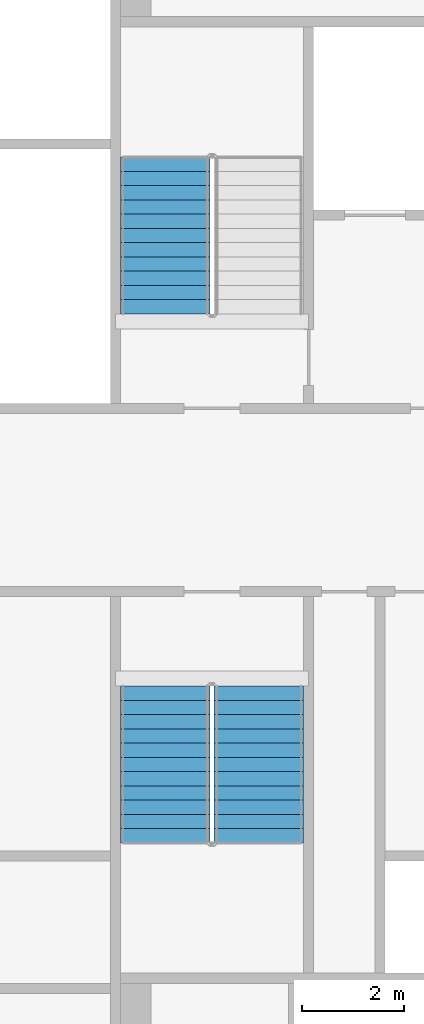
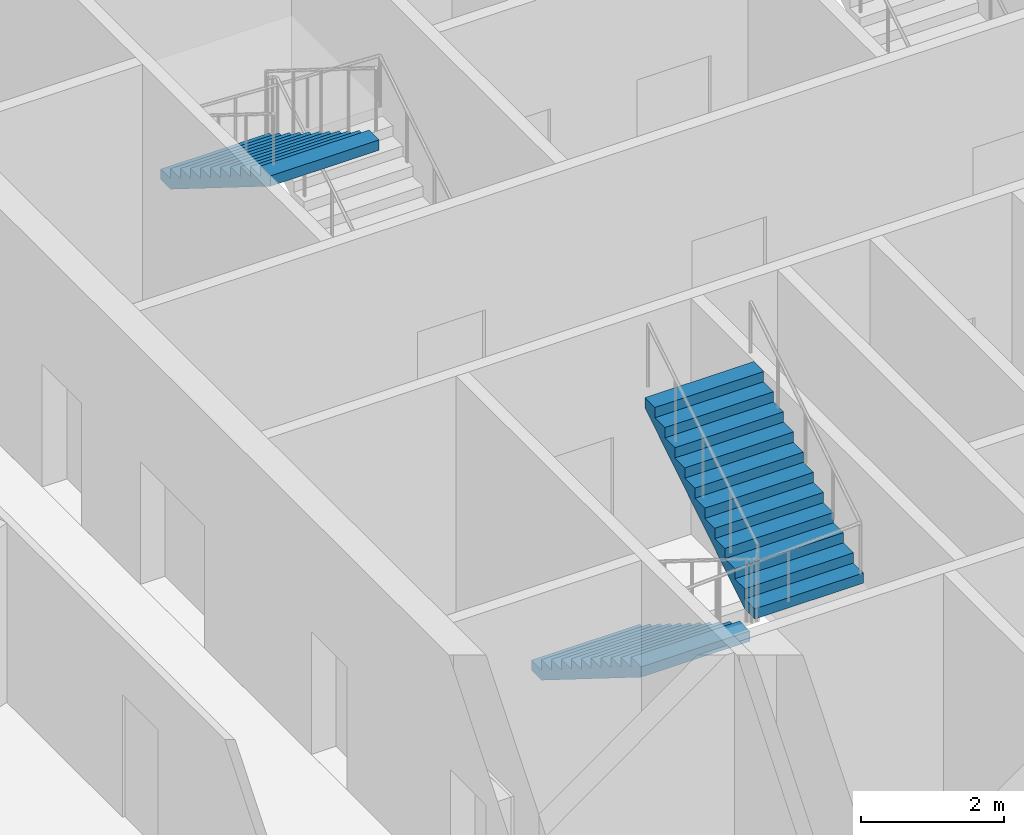
# One storey, part 28 of 35: 3 stair flights, 2 elements without a shape of their own.
"""IFC4 building model written with IfcOpenShell, lengths in metres."""

from ifc_helpers import new_model, si_unit, direction, frame, origin, place, context, subcontext, project, spatial, faceted_brep, material, type_object, element, aggregate, save


model = new_model("IFC4")

# Units and contexts
model_context = context("Model", 3, precision=1e-05, world=origin(), true_north=direction((0.0, 1.0)))
body_context = subcontext(model_context, "Body", "Model", "MODEL_VIEW")
ifc_project = project(units=[si_unit("LENGTHUNIT", "METRE"), si_unit("AREAUNIT", "SQUARE_METRE"), si_unit("VOLUMEUNIT", "CUBIC_METRE"), si_unit("PLANEANGLEUNIT", "RADIAN"), si_unit("MASSUNIT", "GRAM", prefix="KILO")], contexts=[model_context])

# Site, building, storey
site_placement = place(None, origin())
site = spatial("IfcSite", under=ifc_project, at=site_placement, CompositionType="ELEMENT")
building_placement = place(site_placement, origin())
building = spatial("IfcBuilding", under=site, at=building_placement, Name="Tarsis Ring Headquarters", CompositionType="ELEMENT")
storey_placement = place(building_placement, frame((0.0, 0.0, 360.800048828125)))
storey = spatial("IfcBuildingStorey", under=building, at=storey_placement, Name="L85", CompositionType="ELEMENT", Elevation=360.800048828125)

# Stair, stair flight
ifc_material_1 = material(Name="Core stair 1760")
stair_type = type_object("IfcStairType", Name="Core stair 1760", PredefinedType="HALF_TURN_STAIR", material=ifc_material_1)
stair_1_placement = place(storey_placement, origin())
stair_1 = element("IfcStair", 1, at=stair_1_placement, inside=storey, type_object=stair_type, Name="L85 Firefighting stair", PredefinedType="HALF_TURN_STAIR")
ifc_material_2 = material(Name="Concrete C40/50", Category="concrete")
stair_flight_type = type_object("IfcStairFlightType", Name="Core stair flight 1760", PredefinedType="STRAIGHT", material=ifc_material_2)
stair_flight_1_placement = place(storey_placement, frame((-5.419921875, 6.739990234375, 2.099853515625), z_axis=(0.0, 0.0, 1.0), x_axis=(0.0, -1.0, 0.0)))
stair_flight_1 = element("IfcStairFlight", 2, at=stair_flight_1_placement, type_object=stair_flight_type, Name="Stair ST1 flight 2", NumberOfRisers=12, NumberOfTreads=11, PredefinedType="STRAIGHT", RiserHeight=0.175, TreadLength=0.28, context=body_context, shape_type="Brep", body=[
    faceted_brep([(0.0, 0.8798828125, 0.0), (0.0, 0.8798828125, 0.175048828125), (0.280029296875, 0.8798828125, 0.175048828125), (0.280029296875, 0.8798828125, 0.35009765625), (0.56005859375, 0.8798828125, 0.35009765625), (0.56005859375, 0.8798828125, 0.52490234375), (0.840087890625, 0.8798828125, 0.52490234375), (0.840087890625, 0.8798828125, 0.699951171875), (1.1201171875, 0.8798828125, 0.699951171875), (1.1201171875, 0.8798828125, 0.875), (1.39990234375, 0.8798828125, 0.875), (1.39990234375, 0.8798828125, 1.050048828125), (1.679931640625, 0.8798828125, 1.050048828125), (1.679931640625, 0.8798828125, 1.22509765625), (1.9599609375, 0.8798828125, 1.22509765625), (1.9599609375, 0.8798828125, 1.39990234375), (2.239990234375, 0.8798828125, 1.39990234375), (2.239990234375, 0.8798828125, 1.574951171875), (2.52001953125, 0.8798828125, 1.574951171875), (2.52001953125, 0.8798828125, 1.75), (2.800048828125, 0.8798828125, 1.75), (2.800048828125, 0.8798828125, 1.925048828125), (3.080078125, 0.8798828125, 1.925048828125), (3.080078125, 0.8798828125, 1.748291015625), (0.28271484375, 0.8798828125, 0.0), (0.28271484375, -0.8798828125, 0.0), (3.080078125, -0.8798828125, 1.748291015625), (3.080078125, -0.8798828125, 1.925048828125), (2.800048828125, -0.8798828125, 1.925048828125), (2.800048828125, -0.8798828125, 1.75), (2.52001953125, -0.8798828125, 1.75), (2.52001953125, -0.8798828125, 1.574951171875), (2.239990234375, -0.8798828125, 1.574951171875), (2.239990234375, -0.8798828125, 1.39990234375), (1.9599609375, -0.8798828125, 1.39990234375), (1.9599609375, -0.8798828125, 1.22509765625), (1.679931640625, -0.8798828125, 1.22509765625), (1.679931640625, -0.8798828125, 1.050048828125), (1.39990234375, -0.8798828125, 1.050048828125), (1.39990234375, -0.8798828125, 0.875), (1.1201171875, -0.8798828125, 0.875), (1.1201171875, -0.8798828125, 0.699951171875), (0.840087890625, -0.8798828125, 0.699951171875), (0.840087890625, -0.8798828125, 0.52490234375), (0.56005859375, -0.8798828125, 0.52490234375), (0.56005859375, -0.8798828125, 0.35009765625), (0.280029296875, -0.8798828125, 0.35009765625), (0.280029296875, -0.8798828125, 0.175048828125), (0.0, -0.8798828125, 0.175048828125), (0.0, -0.8798828125, 0.0), (0.0, -0.43994140625, 0.175048828125), (0.0, -0.43994140625, 0.0), (0.0, 0.0, 0.175048828125), (0.0, 0.0, 0.0), (0.0, 0.43994140625, 0.175048828125), (0.0, 0.43994140625, 0.0), (0.280029296875, -0.43994140625, 0.175048828125), (0.280029296875, 0.0, 0.175048828125), (0.280029296875, 0.43994140625, 0.175048828125), (0.280029296875, -0.43994140625, 0.35009765625), (0.280029296875, 0.0, 0.35009765625), (0.280029296875, 0.43994140625, 0.35009765625), (0.56005859375, -0.43994140625, 0.35009765625), (0.56005859375, 0.0, 0.35009765625), (0.56005859375, 0.43994140625, 0.35009765625), (0.56005859375, -0.43994140625, 0.52490234375), (0.56005859375, 0.0, 0.52490234375), (0.56005859375, 0.43994140625, 0.52490234375), (0.840087890625, -0.43994140625, 0.52490234375), (0.840087890625, 0.0, 0.52490234375), (0.840087890625, 0.43994140625, 0.52490234375), (0.840087890625, -0.43994140625, 0.699951171875), (0.840087890625, 0.0, 0.699951171875), (0.840087890625, 0.43994140625, 0.699951171875), (1.1201171875, -0.43994140625, 0.699951171875), (1.1201171875, 0.0, 0.699951171875), (1.1201171875, 0.43994140625, 0.699951171875), (1.1201171875, -0.43994140625, 0.875), (1.1201171875, 0.0, 0.875), (1.1201171875, 0.43994140625, 0.875), (1.39990234375, -0.43994140625, 0.875), (1.39990234375, 0.0, 0.875), (1.39990234375, 0.43994140625, 0.875), (1.39990234375, -0.43994140625, 1.050048828125), (1.39990234375, 0.0, 1.050048828125), (1.39990234375, 0.43994140625, 1.050048828125), (1.679931640625, -0.43994140625, 1.050048828125), (1.679931640625, 0.0, 1.050048828125), (1.679931640625, 0.43994140625, 1.050048828125), (1.679931640625, -0.43994140625, 1.22509765625), (1.679931640625, 0.0, 1.22509765625), (1.679931640625, 0.43994140625, 1.22509765625), (1.9599609375, -0.43994140625, 1.22509765625), (1.9599609375, 0.0, 1.22509765625), (1.9599609375, 0.43994140625, 1.22509765625), (1.9599609375, -0.43994140625, 1.39990234375), (1.9599609375, 0.0, 1.39990234375), (1.9599609375, 0.43994140625, 1.39990234375), (2.239990234375, -0.43994140625, 1.39990234375), (2.239990234375, 0.0, 1.39990234375), (2.239990234375, 0.43994140625, 1.39990234375), (2.239990234375, -0.43994140625, 1.574951171875), (2.239990234375, 0.0, 1.574951171875), (2.239990234375, 0.43994140625, 1.574951171875), (2.52001953125, -0.43994140625, 1.574951171875), (2.52001953125, 0.0, 1.574951171875), (2.52001953125, 0.43994140625, 1.574951171875), (2.52001953125, -0.43994140625, 1.75), (2.52001953125, 0.0, 1.75), (2.52001953125, 0.43994140625, 1.75), (2.800048828125, -0.43994140625, 1.75), (2.800048828125, 0.0, 1.75), (2.800048828125, 0.43994140625, 1.75), (2.800048828125, -0.43994140625, 1.925048828125), (2.800048828125, 0.0, 1.925048828125), (2.800048828125, 0.43994140625, 1.925048828125), (3.080078125, -0.43994140625, 1.925048828125), (3.080078125, 0.0, 1.925048828125), (3.080078125, 0.43994140625, 1.925048828125), (3.080078125, -0.43994140625, 1.748291015625), (3.080078125, 0.0, 1.748291015625), (3.080078125, 0.43994140625, 1.748291015625), (0.28271484375, -0.43994140625, 0.0), (0.28271484375, 0.0, 0.0), (0.28271484375, 0.43994140625, 0.0)], [[[0, 1, 2, 3, 4, 5, 6, 7, 8, 9, 10, 11, 12, 13, 14, 15, 16, 17, 18, 19, 20, 21, 22, 23, 24]], [[25, 26, 27, 28, 29, 30, 31, 32, 33, 34, 35, 36, 37, 38, 39, 40, 41, 42, 43, 44, 45, 46, 47, 48, 49]], [[49, 48, 50, 51]], [[51, 50, 52, 53]], [[53, 52, 54, 55]], [[55, 54, 1, 0]], [[48, 47, 56, 50]], [[50, 56, 57, 52]], [[52, 57, 58, 54]], [[54, 58, 2, 1]], [[47, 46, 59, 56]], [[56, 59, 60, 57]], [[57, 60, 61, 58]], [[58, 61, 3, 2]], [[46, 45, 62, 59]], [[59, 62, 63, 60]], [[60, 63, 64, 61]], [[61, 64, 4, 3]], [[45, 44, 65, 62]], [[62, 65, 66, 63]], [[63, 66, 67, 64]], [[64, 67, 5, 4]], [[44, 43, 68, 65]], [[65, 68, 69, 66]], [[66, 69, 70, 67]], [[67, 70, 6, 5]], [[43, 42, 71, 68]], [[68, 71, 72, 69]], [[69, 72, 73, 70]], [[70, 73, 7, 6]], [[42, 41, 74, 71]], [[71, 74, 75, 72]], [[72, 75, 76, 73]], [[73, 76, 8, 7]], [[41, 40, 77, 74]], [[74, 77, 78, 75]], [[75, 78, 79, 76]], [[76, 79, 9, 8]], [[40, 39, 80, 77]], [[77, 80, 81, 78]], [[78, 81, 82, 79]], [[79, 82, 10, 9]], [[39, 38, 83, 80]], [[80, 83, 84, 81]], [[81, 84, 85, 82]], [[82, 85, 11, 10]], [[38, 37, 86, 83]], [[83, 86, 87, 84]], [[84, 87, 88, 85]], [[85, 88, 12, 11]], [[37, 36, 89, 86]], [[86, 89, 90, 87]], [[87, 90, 91, 88]], [[88, 91, 13, 12]], [[36, 35, 92, 89]], [[89, 92, 93, 90]], [[90, 93, 94, 91]], [[91, 94, 14, 13]], [[35, 34, 95, 92]], [[92, 95, 96, 93]], [[93, 96, 97, 94]], [[94, 97, 15, 14]], [[34, 33, 98, 95]], [[95, 98, 99, 96]], [[96, 99, 100, 97]], [[97, 100, 16, 15]], [[33, 32, 101, 98]], [[98, 101, 102, 99]], [[99, 102, 103, 100]], [[100, 103, 17, 16]], [[32, 31, 104, 101]], [[101, 104, 105, 102]], [[102, 105, 106, 103]], [[103, 106, 18, 17]], [[31, 30, 107, 104]], [[104, 107, 108, 105]], [[105, 108, 109, 106]], [[106, 109, 19, 18]], [[30, 29, 110, 107]], [[107, 110, 111, 108]], [[108, 111, 112, 109]], [[109, 112, 20, 19]], [[29, 28, 113, 110]], [[110, 113, 114, 111]], [[111, 114, 115, 112]], [[112, 115, 21, 20]], [[28, 27, 116, 113]], [[113, 116, 117, 114]], [[114, 117, 118, 115]], [[115, 118, 22, 21]], [[27, 26, 119, 116]], [[116, 119, 120, 117]], [[117, 120, 121, 118]], [[118, 121, 23, 22]], [[26, 25, 122, 119]], [[119, 122, 123, 120]], [[120, 123, 124, 121]], [[121, 124, 24, 23]], [[25, 49, 51, 122]], [[122, 51, 53, 123]], [[123, 53, 55, 124]], [[124, 55, 0, 24]]]),
])
aggregate(stair_1, [stair_flight_1])

# Stair, stair flights
stair_2_placement = place(storey_placement, origin())
stair_2 = element("IfcStair", 3, at=stair_2_placement, inside=storey, type_object=stair_type, Name="L85 Exit stair C", PredefinedType="HALF_TURN_STAIR")
stair_flight_2_placement = place(storey_placement, frame((-5.419921875, -3.659912109375, 0.0), z_axis=(0.0, 0.0, 1.0), x_axis=(0.0, -1.0, 0.0)))
stair_flight_2 = element("IfcStairFlight", 4, at=stair_flight_2_placement, type_object=stair_flight_type, Name="Stair ST3 flight 1", NumberOfRisers=12, NumberOfTreads=11, PredefinedType="STRAIGHT", RiserHeight=0.175, TreadLength=0.28, context=body_context, shape_type="Brep", body=[
    faceted_brep([(0.0, 0.8798828125, 0.0), (0.0, 0.8798828125, 0.175048828125), (0.280029296875, 0.8798828125, 0.175048828125), (0.280029296875, 0.8798828125, 0.35009765625), (0.56005859375, 0.8798828125, 0.35009765625), (0.56005859375, 0.8798828125, 0.52490234375), (0.840087890625, 0.8798828125, 0.52490234375), (0.840087890625, 0.8798828125, 0.699951171875), (1.1201171875, 0.8798828125, 0.699951171875), (1.1201171875, 0.8798828125, 0.875), (1.39990234375, 0.8798828125, 0.875), (1.39990234375, 0.8798828125, 1.050048828125), (1.679931640625, 0.8798828125, 1.050048828125), (1.679931640625, 0.8798828125, 1.22509765625), (1.9599609375, 0.8798828125, 1.22509765625), (1.9599609375, 0.8798828125, 1.39990234375), (2.239990234375, 0.8798828125, 1.39990234375), (2.239990234375, 0.8798828125, 1.574951171875), (2.52001953125, 0.8798828125, 1.574951171875), (2.52001953125, 0.8798828125, 1.75), (2.800048828125, 0.8798828125, 1.75), (2.800048828125, 0.8798828125, 1.925048828125), (3.080078125, 0.8798828125, 1.925048828125), (3.080078125, 0.8798828125, 1.748291015625), (0.28271484375, 0.8798828125, 0.0), (0.28271484375, -0.8798828125, 0.0), (3.080078125, -0.8798828125, 1.748291015625), (3.080078125, -0.8798828125, 1.925048828125), (2.800048828125, -0.8798828125, 1.925048828125), (2.800048828125, -0.8798828125, 1.75), (2.52001953125, -0.8798828125, 1.75), (2.52001953125, -0.8798828125, 1.574951171875), (2.239990234375, -0.8798828125, 1.574951171875), (2.239990234375, -0.8798828125, 1.39990234375), (1.9599609375, -0.8798828125, 1.39990234375), (1.9599609375, -0.8798828125, 1.22509765625), (1.679931640625, -0.8798828125, 1.22509765625), (1.679931640625, -0.8798828125, 1.050048828125), (1.39990234375, -0.8798828125, 1.050048828125), (1.39990234375, -0.8798828125, 0.875), (1.1201171875, -0.8798828125, 0.875), (1.1201171875, -0.8798828125, 0.699951171875), (0.840087890625, -0.8798828125, 0.699951171875), (0.840087890625, -0.8798828125, 0.52490234375), (0.56005859375, -0.8798828125, 0.52490234375), (0.56005859375, -0.8798828125, 0.35009765625), (0.280029296875, -0.8798828125, 0.35009765625), (0.280029296875, -0.8798828125, 0.175048828125), (0.0, -0.8798828125, 0.175048828125), (0.0, -0.8798828125, 0.0), (0.0, -0.43994140625, 0.175048828125), (0.0, -0.43994140625, 0.0), (0.0, 0.0, 0.175048828125), (0.0, 0.0, 0.0), (0.0, 0.43994140625, 0.175048828125), (0.0, 0.43994140625, 0.0), (0.280029296875, -0.43994140625, 0.175048828125), (0.280029296875, 0.0, 0.175048828125), (0.280029296875, 0.43994140625, 0.175048828125), (0.280029296875, -0.43994140625, 0.35009765625), (0.280029296875, 0.0, 0.35009765625), (0.280029296875, 0.43994140625, 0.35009765625), (0.56005859375, -0.43994140625, 0.35009765625), (0.56005859375, 0.0, 0.35009765625), (0.56005859375, 0.43994140625, 0.35009765625), (0.56005859375, -0.43994140625, 0.52490234375), (0.56005859375, 0.0, 0.52490234375), (0.56005859375, 0.43994140625, 0.52490234375), (0.840087890625, -0.43994140625, 0.52490234375), (0.840087890625, 0.0, 0.52490234375), (0.840087890625, 0.43994140625, 0.52490234375), (0.840087890625, -0.43994140625, 0.699951171875), (0.840087890625, 0.0, 0.699951171875), (0.840087890625, 0.43994140625, 0.699951171875), (1.1201171875, -0.43994140625, 0.699951171875), (1.1201171875, 0.0, 0.699951171875), (1.1201171875, 0.43994140625, 0.699951171875), (1.1201171875, -0.43994140625, 0.875), (1.1201171875, 0.0, 0.875), (1.1201171875, 0.43994140625, 0.875), (1.39990234375, -0.43994140625, 0.875), (1.39990234375, 0.0, 0.875), (1.39990234375, 0.43994140625, 0.875), (1.39990234375, -0.43994140625, 1.050048828125), (1.39990234375, 0.0, 1.050048828125), (1.39990234375, 0.43994140625, 1.050048828125), (1.679931640625, -0.43994140625, 1.050048828125), (1.679931640625, 0.0, 1.050048828125), (1.679931640625, 0.43994140625, 1.050048828125), (1.679931640625, -0.43994140625, 1.22509765625), (1.679931640625, 0.0, 1.22509765625), (1.679931640625, 0.43994140625, 1.22509765625), (1.9599609375, -0.43994140625, 1.22509765625), (1.9599609375, 0.0, 1.22509765625), (1.9599609375, 0.43994140625, 1.22509765625), (1.9599609375, -0.43994140625, 1.39990234375), (1.9599609375, 0.0, 1.39990234375), (1.9599609375, 0.43994140625, 1.39990234375), (2.239990234375, -0.43994140625, 1.39990234375), (2.239990234375, 0.0, 1.39990234375), (2.239990234375, 0.43994140625, 1.39990234375), (2.239990234375, -0.43994140625, 1.574951171875), (2.239990234375, 0.0, 1.574951171875), (2.239990234375, 0.43994140625, 1.574951171875), (2.52001953125, -0.43994140625, 1.574951171875), (2.52001953125, 0.0, 1.574951171875), (2.52001953125, 0.43994140625, 1.574951171875), (2.52001953125, -0.43994140625, 1.75), (2.52001953125, 0.0, 1.75), (2.52001953125, 0.43994140625, 1.75), (2.800048828125, -0.43994140625, 1.75), (2.800048828125, 0.0, 1.75), (2.800048828125, 0.43994140625, 1.75), (2.800048828125, -0.43994140625, 1.925048828125), (2.800048828125, 0.0, 1.925048828125), (2.800048828125, 0.43994140625, 1.925048828125), (3.080078125, -0.43994140625, 1.925048828125), (3.080078125, 0.0, 1.925048828125), (3.080078125, 0.43994140625, 1.925048828125), (3.080078125, -0.43994140625, 1.748291015625), (3.080078125, 0.0, 1.748291015625), (3.080078125, 0.43994140625, 1.748291015625), (0.28271484375, -0.43994140625, 0.0), (0.28271484375, 0.0, 0.0), (0.28271484375, 0.43994140625, 0.0)], [[[0, 1, 2, 3, 4, 5, 6, 7, 8, 9, 10, 11, 12, 13, 14, 15, 16, 17, 18, 19, 20, 21, 22, 23, 24]], [[25, 26, 27, 28, 29, 30, 31, 32, 33, 34, 35, 36, 37, 38, 39, 40, 41, 42, 43, 44, 45, 46, 47, 48, 49]], [[49, 48, 50, 51]], [[51, 50, 52, 53]], [[53, 52, 54, 55]], [[55, 54, 1, 0]], [[48, 47, 56, 50]], [[50, 56, 57, 52]], [[52, 57, 58, 54]], [[54, 58, 2, 1]], [[47, 46, 59, 56]], [[56, 59, 60, 57]], [[57, 60, 61, 58]], [[58, 61, 3, 2]], [[46, 45, 62, 59]], [[59, 62, 63, 60]], [[60, 63, 64, 61]], [[61, 64, 4, 3]], [[45, 44, 65, 62]], [[62, 65, 66, 63]], [[63, 66, 67, 64]], [[64, 67, 5, 4]], [[44, 43, 68, 65]], [[65, 68, 69, 66]], [[66, 69, 70, 67]], [[67, 70, 6, 5]], [[43, 42, 71, 68]], [[68, 71, 72, 69]], [[69, 72, 73, 70]], [[70, 73, 7, 6]], [[42, 41, 74, 71]], [[71, 74, 75, 72]], [[72, 75, 76, 73]], [[73, 76, 8, 7]], [[41, 40, 77, 74]], [[74, 77, 78, 75]], [[75, 78, 79, 76]], [[76, 79, 9, 8]], [[40, 39, 80, 77]], [[77, 80, 81, 78]], [[78, 81, 82, 79]], [[79, 82, 10, 9]], [[39, 38, 83, 80]], [[80, 83, 84, 81]], [[81, 84, 85, 82]], [[82, 85, 11, 10]], [[38, 37, 86, 83]], [[83, 86, 87, 84]], [[84, 87, 88, 85]], [[85, 88, 12, 11]], [[37, 36, 89, 86]], [[86, 89, 90, 87]], [[87, 90, 91, 88]], [[88, 91, 13, 12]], [[36, 35, 92, 89]], [[89, 92, 93, 90]], [[90, 93, 94, 91]], [[91, 94, 14, 13]], [[35, 34, 95, 92]], [[92, 95, 96, 93]], [[93, 96, 97, 94]], [[94, 97, 15, 14]], [[34, 33, 98, 95]], [[95, 98, 99, 96]], [[96, 99, 100, 97]], [[97, 100, 16, 15]], [[33, 32, 101, 98]], [[98, 101, 102, 99]], [[99, 102, 103, 100]], [[100, 103, 17, 16]], [[32, 31, 104, 101]], [[101, 104, 105, 102]], [[102, 105, 106, 103]], [[103, 106, 18, 17]], [[31, 30, 107, 104]], [[104, 107, 108, 105]], [[105, 108, 109, 106]], [[106, 109, 19, 18]], [[30, 29, 110, 107]], [[107, 110, 111, 108]], [[108, 111, 112, 109]], [[109, 112, 20, 19]], [[29, 28, 113, 110]], [[110, 113, 114, 111]], [[111, 114, 115, 112]], [[112, 115, 21, 20]], [[28, 27, 116, 113]], [[113, 116, 117, 114]], [[114, 117, 118, 115]], [[115, 118, 22, 21]], [[27, 26, 119, 116]], [[116, 119, 120, 117]], [[117, 120, 121, 118]], [[118, 121, 23, 22]], [[26, 25, 122, 119]], [[119, 122, 123, 120]], [[120, 123, 124, 121]], [[121, 124, 24, 23]], [[25, 49, 51, 122]], [[122, 51, 53, 123]], [[123, 53, 55, 124]], [[124, 55, 0, 24]]]),
])
stair_flight_3_placement = place(storey_placement, frame((-3.580078125, -6.739990234375, 2.099853515625), z_axis=(0.0, 0.0, 1.0), x_axis=(0.0, 1.0, 0.0)))
stair_flight_3 = element("IfcStairFlight", 5, at=stair_flight_3_placement, type_object=stair_flight_type, Name="Stair ST3 flight 2", NumberOfRisers=12, NumberOfTreads=11, PredefinedType="STRAIGHT", RiserHeight=0.175, TreadLength=0.28, context=body_context, shape_type="Brep", body=[
    faceted_brep([(0.0, 0.8798828125, 0.0), (0.0, 0.8798828125, 0.175048828125), (0.280029296875, 0.8798828125, 0.175048828125), (0.280029296875, 0.8798828125, 0.35009765625), (0.56005859375, 0.8798828125, 0.35009765625), (0.56005859375, 0.8798828125, 0.52490234375), (0.840087890625, 0.8798828125, 0.52490234375), (0.840087890625, 0.8798828125, 0.699951171875), (1.1201171875, 0.8798828125, 0.699951171875), (1.1201171875, 0.8798828125, 0.875), (1.39990234375, 0.8798828125, 0.875), (1.39990234375, 0.8798828125, 1.050048828125), (1.679931640625, 0.8798828125, 1.050048828125), (1.679931640625, 0.8798828125, 1.22509765625), (1.9599609375, 0.8798828125, 1.22509765625), (1.9599609375, 0.8798828125, 1.39990234375), (2.239990234375, 0.8798828125, 1.39990234375), (2.239990234375, 0.8798828125, 1.574951171875), (2.52001953125, 0.8798828125, 1.574951171875), (2.52001953125, 0.8798828125, 1.75), (2.800048828125, 0.8798828125, 1.75), (2.800048828125, 0.8798828125, 1.925048828125), (3.080078125, 0.8798828125, 1.925048828125), (3.080078125, 0.8798828125, 1.748291015625), (0.28271484375, 0.8798828125, 0.0), (0.28271484375, -0.8798828125, 0.0), (3.080078125, -0.8798828125, 1.748291015625), (3.080078125, -0.8798828125, 1.925048828125), (2.800048828125, -0.8798828125, 1.925048828125), (2.800048828125, -0.8798828125, 1.75), (2.52001953125, -0.8798828125, 1.75), (2.52001953125, -0.8798828125, 1.574951171875), (2.239990234375, -0.8798828125, 1.574951171875), (2.239990234375, -0.8798828125, 1.39990234375), (1.9599609375, -0.8798828125, 1.39990234375), (1.9599609375, -0.8798828125, 1.22509765625), (1.679931640625, -0.8798828125, 1.22509765625), (1.679931640625, -0.8798828125, 1.050048828125), (1.39990234375, -0.8798828125, 1.050048828125), (1.39990234375, -0.8798828125, 0.875), (1.1201171875, -0.8798828125, 0.875), (1.1201171875, -0.8798828125, 0.699951171875), (0.840087890625, -0.8798828125, 0.699951171875), (0.840087890625, -0.8798828125, 0.52490234375), (0.56005859375, -0.8798828125, 0.52490234375), (0.56005859375, -0.8798828125, 0.35009765625), (0.280029296875, -0.8798828125, 0.35009765625), (0.280029296875, -0.8798828125, 0.175048828125), (0.0, -0.8798828125, 0.175048828125), (0.0, -0.8798828125, 0.0), (0.0, -0.43994140625, 0.175048828125), (0.0, -0.43994140625, 0.0), (0.0, 0.0, 0.175048828125), (0.0, 0.0, 0.0), (0.0, 0.43994140625, 0.175048828125), (0.0, 0.43994140625, 0.0), (0.280029296875, -0.43994140625, 0.175048828125), (0.280029296875, 0.0, 0.175048828125), (0.280029296875, 0.43994140625, 0.175048828125), (0.280029296875, -0.43994140625, 0.35009765625), (0.280029296875, 0.0, 0.35009765625), (0.280029296875, 0.43994140625, 0.35009765625), (0.56005859375, -0.43994140625, 0.35009765625), (0.56005859375, 0.0, 0.35009765625), (0.56005859375, 0.43994140625, 0.35009765625), (0.56005859375, -0.43994140625, 0.52490234375), (0.56005859375, 0.0, 0.52490234375), (0.56005859375, 0.43994140625, 0.52490234375), (0.840087890625, -0.43994140625, 0.52490234375), (0.840087890625, 0.0, 0.52490234375), (0.840087890625, 0.43994140625, 0.52490234375), (0.840087890625, -0.43994140625, 0.699951171875), (0.840087890625, 0.0, 0.699951171875), (0.840087890625, 0.43994140625, 0.699951171875), (1.1201171875, -0.43994140625, 0.699951171875), (1.1201171875, 0.0, 0.699951171875), (1.1201171875, 0.43994140625, 0.699951171875), (1.1201171875, -0.43994140625, 0.875), (1.1201171875, 0.0, 0.875), (1.1201171875, 0.43994140625, 0.875), (1.39990234375, -0.43994140625, 0.875), (1.39990234375, 0.0, 0.875), (1.39990234375, 0.43994140625, 0.875), (1.39990234375, -0.43994140625, 1.050048828125), (1.39990234375, 0.0, 1.050048828125), (1.39990234375, 0.43994140625, 1.050048828125), (1.679931640625, -0.43994140625, 1.050048828125), (1.679931640625, 0.0, 1.050048828125), (1.679931640625, 0.43994140625, 1.050048828125), (1.679931640625, -0.43994140625, 1.22509765625), (1.679931640625, 0.0, 1.22509765625), (1.679931640625, 0.43994140625, 1.22509765625), (1.9599609375, -0.43994140625, 1.22509765625), (1.9599609375, 0.0, 1.22509765625), (1.9599609375, 0.43994140625, 1.22509765625), (1.9599609375, -0.43994140625, 1.39990234375), (1.9599609375, 0.0, 1.39990234375), (1.9599609375, 0.43994140625, 1.39990234375), (2.239990234375, -0.43994140625, 1.39990234375), (2.239990234375, 0.0, 1.39990234375), (2.239990234375, 0.43994140625, 1.39990234375), (2.239990234375, -0.43994140625, 1.574951171875), (2.239990234375, 0.0, 1.574951171875), (2.239990234375, 0.43994140625, 1.574951171875), (2.52001953125, -0.43994140625, 1.574951171875), (2.52001953125, 0.0, 1.574951171875), (2.52001953125, 0.43994140625, 1.574951171875), (2.52001953125, -0.43994140625, 1.75), (2.52001953125, 0.0, 1.75), (2.52001953125, 0.43994140625, 1.75), (2.800048828125, -0.43994140625, 1.75), (2.800048828125, 0.0, 1.75), (2.800048828125, 0.43994140625, 1.75), (2.800048828125, -0.43994140625, 1.925048828125), (2.800048828125, 0.0, 1.925048828125), (2.800048828125, 0.43994140625, 1.925048828125), (3.080078125, -0.43994140625, 1.925048828125), (3.080078125, 0.0, 1.925048828125), (3.080078125, 0.43994140625, 1.925048828125), (3.080078125, -0.43994140625, 1.748291015625), (3.080078125, 0.0, 1.748291015625), (3.080078125, 0.43994140625, 1.748291015625), (0.28271484375, -0.43994140625, 0.0), (0.28271484375, 0.0, 0.0), (0.28271484375, 0.43994140625, 0.0)], [[[0, 1, 2, 3, 4, 5, 6, 7, 8, 9, 10, 11, 12, 13, 14, 15, 16, 17, 18, 19, 20, 21, 22, 23, 24]], [[25, 26, 27, 28, 29, 30, 31, 32, 33, 34, 35, 36, 37, 38, 39, 40, 41, 42, 43, 44, 45, 46, 47, 48, 49]], [[49, 48, 50, 51]], [[51, 50, 52, 53]], [[53, 52, 54, 55]], [[55, 54, 1, 0]], [[48, 47, 56, 50]], [[50, 56, 57, 52]], [[52, 57, 58, 54]], [[54, 58, 2, 1]], [[47, 46, 59, 56]], [[56, 59, 60, 57]], [[57, 60, 61, 58]], [[58, 61, 3, 2]], [[46, 45, 62, 59]], [[59, 62, 63, 60]], [[60, 63, 64, 61]], [[61, 64, 4, 3]], [[45, 44, 65, 62]], [[62, 65, 66, 63]], [[63, 66, 67, 64]], [[64, 67, 5, 4]], [[44, 43, 68, 65]], [[65, 68, 69, 66]], [[66, 69, 70, 67]], [[67, 70, 6, 5]], [[43, 42, 71, 68]], [[68, 71, 72, 69]], [[69, 72, 73, 70]], [[70, 73, 7, 6]], [[42, 41, 74, 71]], [[71, 74, 75, 72]], [[72, 75, 76, 73]], [[73, 76, 8, 7]], [[41, 40, 77, 74]], [[74, 77, 78, 75]], [[75, 78, 79, 76]], [[76, 79, 9, 8]], [[40, 39, 80, 77]], [[77, 80, 81, 78]], [[78, 81, 82, 79]], [[79, 82, 10, 9]], [[39, 38, 83, 80]], [[80, 83, 84, 81]], [[81, 84, 85, 82]], [[82, 85, 11, 10]], [[38, 37, 86, 83]], [[83, 86, 87, 84]], [[84, 87, 88, 85]], [[85, 88, 12, 11]], [[37, 36, 89, 86]], [[86, 89, 90, 87]], [[87, 90, 91, 88]], [[88, 91, 13, 12]], [[36, 35, 92, 89]], [[89, 92, 93, 90]], [[90, 93, 94, 91]], [[91, 94, 14, 13]], [[35, 34, 95, 92]], [[92, 95, 96, 93]], [[93, 96, 97, 94]], [[94, 97, 15, 14]], [[34, 33, 98, 95]], [[95, 98, 99, 96]], [[96, 99, 100, 97]], [[97, 100, 16, 15]], [[33, 32, 101, 98]], [[98, 101, 102, 99]], [[99, 102, 103, 100]], [[100, 103, 17, 16]], [[32, 31, 104, 101]], [[101, 104, 105, 102]], [[102, 105, 106, 103]], [[103, 106, 18, 17]], [[31, 30, 107, 104]], [[104, 107, 108, 105]], [[105, 108, 109, 106]], [[106, 109, 19, 18]], [[30, 29, 110, 107]], [[107, 110, 111, 108]], [[108, 111, 112, 109]], [[109, 112, 20, 19]], [[29, 28, 113, 110]], [[110, 113, 114, 111]], [[111, 114, 115, 112]], [[112, 115, 21, 20]], [[28, 27, 116, 113]], [[113, 116, 117, 114]], [[114, 117, 118, 115]], [[115, 118, 22, 21]], [[27, 26, 119, 116]], [[116, 119, 120, 117]], [[117, 120, 121, 118]], [[118, 121, 23, 22]], [[26, 25, 122, 119]], [[119, 122, 123, 120]], [[120, 123, 124, 121]], [[121, 124, 24, 23]], [[25, 49, 51, 122]], [[122, 51, 53, 123]], [[123, 53, 55, 124]], [[124, 55, 0, 24]]]),
])
aggregate(stair_2, [stair_flight_2, stair_flight_3])

save(model, "model.ifc")
